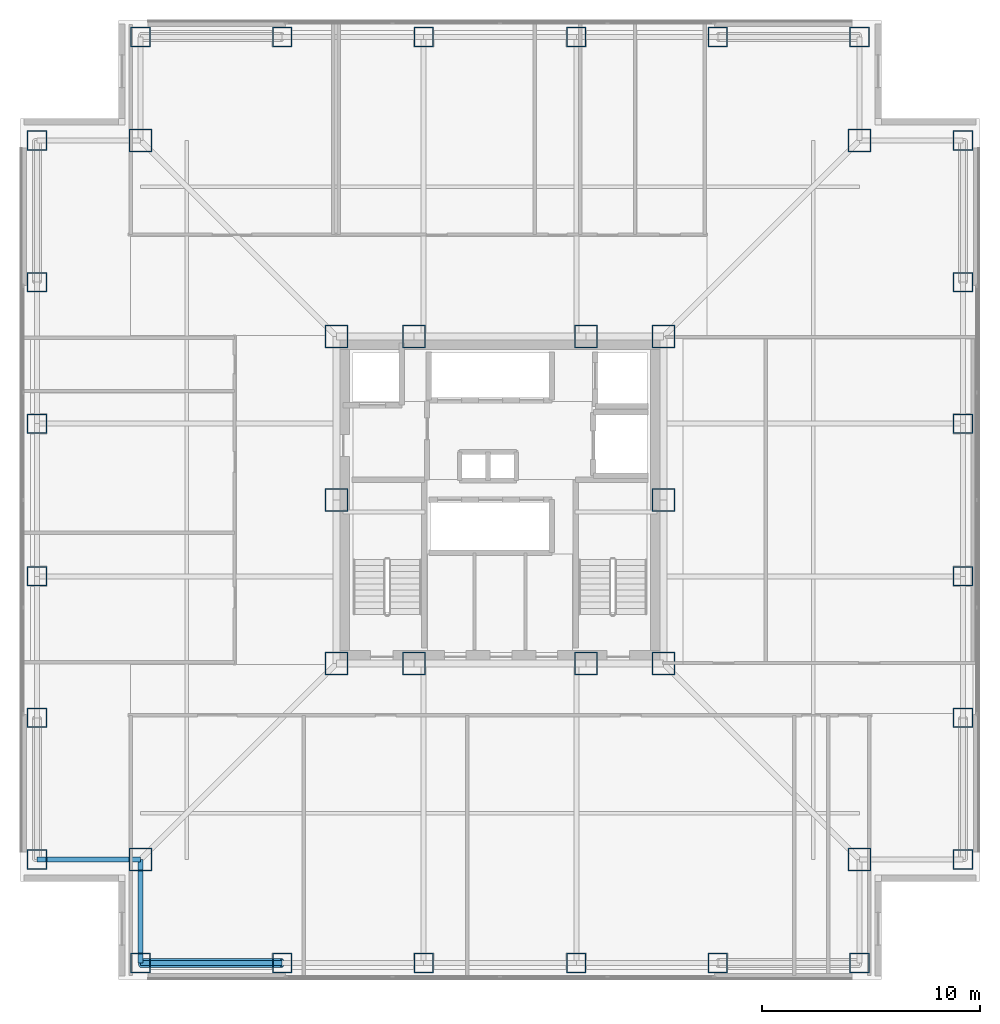
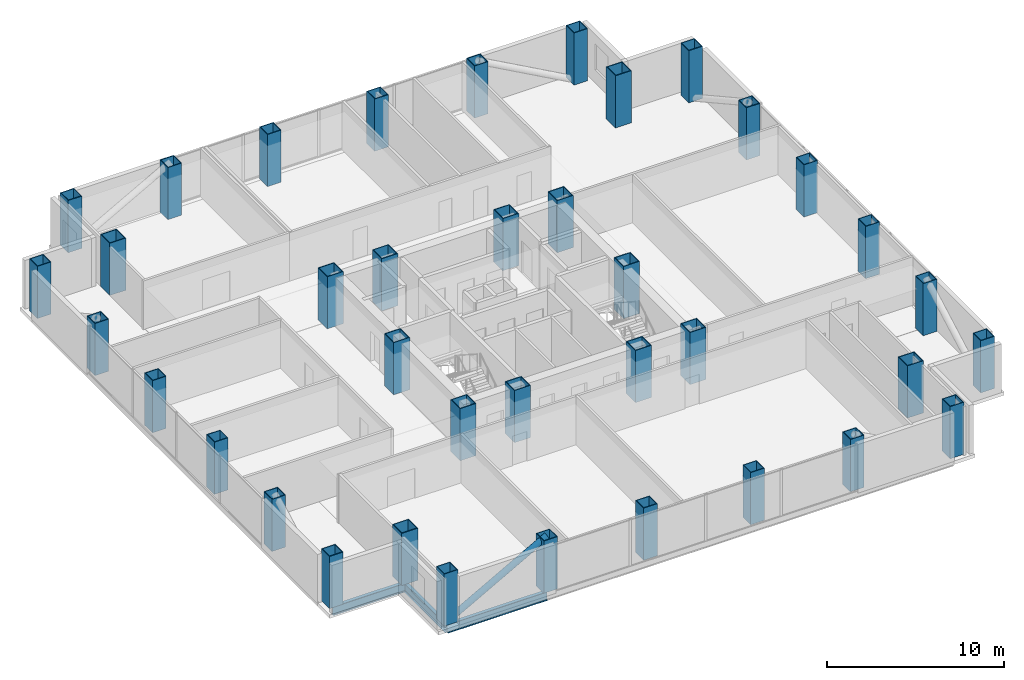
# One storey, part 1 of 16: 38 columns, 3 beams, 1 member.
"""IFC4 building model written with IfcOpenShell, lengths in metres."""

from ifc_helpers import new_model, si_unit, direction, frame, origin, origin_2d, place, context, subcontext, project, spatial, hollow_rectangle, hollow_circle, i_section, extrude, material, material_profile, profile_set, type_object, element, save


model = new_model("IFC4")

# Units and contexts
model_context = context("Model", 3, precision=1e-05, world=origin(), true_north=direction((0.0, 1.0)))
body_context = subcontext(model_context, "Body", "Model", "MODEL_VIEW")
ifc_project = project(units=[si_unit("LENGTHUNIT", "METRE"), si_unit("AREAUNIT", "SQUARE_METRE"), si_unit("VOLUMEUNIT", "CUBIC_METRE"), si_unit("PLANEANGLEUNIT", "RADIAN"), si_unit("MASSUNIT", "GRAM", prefix="KILO")], contexts=[model_context])

# Site, building, storey
site_placement = place(None, origin())
site = spatial("IfcSite", under=ifc_project, at=site_placement, CompositionType="ELEMENT")
building_placement = place(site_placement, origin())
building = spatial("IfcBuilding", under=site, at=building_placement, Name="Trevonay Congress Spire", CompositionType="ELEMENT")
storey_placement = place(building_placement, frame((0.0, 0.0, 101.199951171875)))
storey = spatial("IfcBuildingStorey", under=building, at=storey_placement, Name="L25", CompositionType="ELEMENT", Elevation=101.199951171875)

# Columns
ifc_material_1 = material(Name="Steel ASTM A572 Grade 50", Category="steel")
ifc_material_profile_1 = material_profile(ifc_material_1, hollow_rectangle(XDim=1.050048828125, YDim=1.050048828125, WallThickness=0.050048828125, at=origin_2d()), Name="BOX 1050x1050x50")
ifc_profile_set_1 = profile_set([ifc_material_profile_1], Name="Steel ASTM A572 Grade 50")
column_type_1 = type_object("IfcColumnType", Name="COL-CORE-BOX1050", PredefinedType="COLUMN", material=ifc_profile_set_1)
for number, where, z_axis, x_axis, name in (
    (1, (-7.5, -7.5, 0.0), (0.0, 0.0, 1.0), (1.0, 0.0, 0.0), "L25 column C03 at CC-SW"),
    (2, (-3.949951171875, -7.5, 0.0), (0.0, 0.0, 1.0), (1.0, 0.0, 0.0), "L25 column C03 at CC-SMW"),
    (3, (3.949951171875, -7.5, 0.0), (0.0, 0.0, 1.0), (1.0, 0.0, 0.0), "L25 column C03 at CC-SME"),
    (4, (7.5, -7.5, 0.0), (0.0, 0.0, 1.0), (1.0, 0.0, 0.0), "L25 column C03 at CC-SE"),
    (5, (7.5, 0.0, 0.0), (0.0, 0.0, 1.0), (1.0, 0.0, 0.0), "L25 column C03 at CC-E"),
    (6, (7.5, 7.5, 0.0), (0.0, 0.0, 1.0), (1.0, 0.0, 0.0), "L25 column C03 at CC-NE"),
    (7, (3.949951171875, 7.5, 0.0), (0.0, 0.0, 1.0), (1.0, 0.0, 0.0), "L25 column C03 at CC-NME"),
    (8, (-3.949951171875, 7.5, 0.0), (0.0, 0.0, 1.0), (1.0, 0.0, 0.0), "L25 column C03 at CC-NMW"),
    (9, (-7.5, 7.5, 0.0), (0.0, 0.0, 1.0), (1.0, 0.0, 0.0), "L25 column C03 at CC-NW"),
    (10, (-7.5, 0.0, 0.0), (0.0, 0.0, 1.0), (1.0, 0.0, 0.0), "L25 column C03 at CC-W"),
):
    element("IfcColumn", number, at=place(storey_placement, frame(where, z_axis=z_axis, x_axis=x_axis)), inside=storey, type_object=column_type_1, Name=name, PredefinedType="COLUMN", context=body_context, shape_type="SweptSolid", body=[
        extrude(hollow_rectangle(XDim=1.050048828125, YDim=1.050048828125, WallThickness=0.050048828125, at=origin_2d()), origin(), (0.0, 0.0, 1.0), 3.60009765625),
    ])
ifc_material_profile_2 = material_profile(ifc_material_1, hollow_rectangle(XDim=1.050048828125, YDim=1.050048828125, WallThickness=0.050048828125, at=origin_2d()), Name="BOX 1050x1050x50")
ifc_profile_set_2 = profile_set([ifc_material_profile_2], Name="Steel ASTM A572 Grade 50")
column_type_2 = type_object("IfcColumnType", Name="COL-TUBE-BOX1050", PredefinedType="COLUMN", material=ifc_profile_set_2)
for number, where, z_axis, x_axis, name in (
    (11, (-16.5, -16.5, 0.0), (0.0, 0.0, 1.0), (1.0, 0.0, 0.0), "L25 column C14 at NC-SW"),
    (12, (16.5, -16.5, 0.0), (0.0, 0.0, 1.0), (1.0, 0.0, 0.0), "L25 column C14 at NC-SE"),
    (13, (16.5, 16.5, 0.0), (0.0, 0.0, 1.0), (1.0, 0.0, 0.0), "L25 column C14 at NC-NE"),
    (14, (-16.5, 16.5, 0.0), (0.0, 0.0, 1.0), (1.0, 0.0, 0.0), "L25 column C14 at NC-NW"),
):
    element("IfcColumn", number, at=place(storey_placement, frame(where, z_axis=z_axis, x_axis=x_axis)), inside=storey, type_object=column_type_2, Name=name, PredefinedType="COLUMN", context=body_context, shape_type="SweptSolid", body=[
        extrude(hollow_rectangle(XDim=1.050048828125, YDim=1.050048828125, WallThickness=0.050048828125, at=origin_2d()), origin(), (0.0, 0.0, 1.0), 3.60009765625),
    ])
ifc_material_profile_3 = material_profile(ifc_material_1, hollow_rectangle(XDim=0.89990234375, YDim=0.89990234375, WallThickness=0.044921875, at=origin_2d()), Name="BOX 900x900x45")
ifc_profile_set_3 = profile_set([ifc_material_profile_3], Name="Steel ASTM A572 Grade 50")
column_type_3 = type_object("IfcColumnType", Name="COL-TUBE-BOX900", PredefinedType="COLUMN", material=ifc_profile_set_3)
for number, where, z_axis, x_axis, name in (
    (15, (-16.5, -21.25, 0.0), (0.0, 0.0, 1.0), (1.0, 0.0, 0.0), "L25 column C15 at TS-1"),
    (16, (-16.5, 21.25, 0.0), (0.0, 0.0, 1.0), (1.0, 0.0, 0.0), "L25 column C15 at TN-1"),
    (17, (-21.25, -16.5, 0.0), (0.0, 0.0, 1.0), (1.0, 0.0, 0.0), "L25 column C15 at TW-1"),
    (18, (21.25, -16.5, 0.0), (0.0, 0.0, 1.0), (1.0, 0.0, 0.0), "L25 column C15 at TE-1"),
    (19, (-10.0, -21.25, 0.0), (0.0, 0.0, 1.0), (1.0, 0.0, 0.0), "L25 column C15 at TS-2"),
    (20, (-10.0, 21.25, 0.0), (0.0, 0.0, 1.0), (1.0, 0.0, 0.0), "L25 column C15 at TN-2"),
    (21, (-21.25, -10.0, 0.0), (0.0, 0.0, 1.0), (1.0, 0.0, 0.0), "L25 column C15 at TW-2"),
    (22, (21.25, -10.0, 0.0), (0.0, 0.0, 1.0), (1.0, 0.0, 0.0), "L25 column C15 at TE-2"),
    (23, (-3.5, -21.25, 0.0), (0.0, 0.0, 1.0), (1.0, 0.0, 0.0), "L25 column C15 at TS-3"),
    (24, (-3.5, 21.25, 0.0), (0.0, 0.0, 1.0), (1.0, 0.0, 0.0), "L25 column C15 at TN-3"),
    (25, (-21.25, -3.5, 0.0), (0.0, 0.0, 1.0), (1.0, 0.0, 0.0), "L25 column C15 at TW-3"),
    (26, (21.25, -3.5, 0.0), (0.0, 0.0, 1.0), (1.0, 0.0, 0.0), "L25 column C15 at TE-3"),
    (27, (3.5, -21.25, 0.0), (0.0, 0.0, 1.0), (1.0, 0.0, 0.0), "L25 column C15 at TS-4"),
    (28, (3.5, 21.25, 0.0), (0.0, 0.0, 1.0), (1.0, 0.0, 0.0), "L25 column C15 at TN-4"),
    (29, (-21.25, 3.5, 0.0), (0.0, 0.0, 1.0), (1.0, 0.0, 0.0), "L25 column C15 at TW-4"),
    (30, (21.25, 3.5, 0.0), (0.0, 0.0, 1.0), (1.0, 0.0, 0.0), "L25 column C15 at TE-4"),
    (31, (10.0, -21.25, 0.0), (0.0, 0.0, 1.0), (1.0, 0.0, 0.0), "L25 column C15 at TS-5"),
    (32, (10.0, 21.25, 0.0), (0.0, 0.0, 1.0), (1.0, 0.0, 0.0), "L25 column C15 at TN-5"),
    (33, (-21.25, 10.0, 0.0), (0.0, 0.0, 1.0), (1.0, 0.0, 0.0), "L25 column C15 at TW-5"),
    (34, (21.25, 10.0, 0.0), (0.0, 0.0, 1.0), (1.0, 0.0, 0.0), "L25 column C15 at TE-5"),
    (35, (16.5, -21.25, 0.0), (0.0, 0.0, 1.0), (1.0, 0.0, 0.0), "L25 column C15 at TS-6"),
    (36, (16.5, 21.25, 0.0), (0.0, 0.0, 1.0), (1.0, 0.0, 0.0), "L25 column C15 at TN-6"),
    (37, (-21.25, 16.5, 0.0), (0.0, 0.0, 1.0), (1.0, 0.0, 0.0), "L25 column C15 at TW-6"),
    (38, (21.25, 16.5, 0.0), (0.0, 0.0, 1.0), (1.0, 0.0, 0.0), "L25 column C15 at TE-6"),
):
    element("IfcColumn", number, at=place(storey_placement, frame(where, z_axis=z_axis, x_axis=x_axis)), inside=storey, type_object=column_type_3, Name=name, PredefinedType="COLUMN", context=body_context, shape_type="SweptSolid", body=[
        extrude(hollow_rectangle(XDim=0.89990234375, YDim=0.89990234375, WallThickness=0.044921875, at=origin_2d()), origin(), (0.0, 0.0, 1.0), 3.60009765625),
    ])

# Beams
ifc_material_profile_4 = material_profile(ifc_material_1, i_section(OverallWidth=0.22802734375, OverallDepth=0.60791015625, WebThickness=0.01123046875, FlangeThickness=0.017333984375, FilletRadius=0.01611328125, at=origin_2d()), Name="W610x113")
ifc_profile_set_4 = profile_set([ifc_material_profile_4], Name="Steel ASTM A572 Grade 50")
beam_type = type_object("IfcBeamType", Name="BM-RING-W610X113", PredefinedType="BEAM", material=ifc_profile_set_4)
beam_placement = place(storey_placement, frame((-16.5, -21.25, -0.5439453125), z_axis=(1.0, 0.0, 0.0), x_axis=(0.0, 1.0, 0.0)))
element("IfcBeam", 39, at=beam_placement, inside=storey, type_object=beam_type, Name="L25 structural beam BM-L25-PS1", PredefinedType="BEAM", context=body_context, shape_type="SweptSolid", body=[
    extrude(i_section(OverallWidth=0.22802734375, OverallDepth=0.60791015625, WebThickness=0.01123046875, FlangeThickness=0.017333984375, FilletRadius=0.01611328125, at=origin_2d()), origin(), (0.0, 0.0, 1.0), 6.5),
])
for number, where, z_axis, x_axis, name in (
    (40, (-16.5, -21.25, -0.5439453125), (0.0, 1.0, 0.0), (-1.0, 0.0, 0.0), "L25 structural beam BM-L25-N1SW"),
    (41, (-21.25, -16.5, -0.5439453125), (1.0, 0.0, 0.0), (0.0, 1.0, 0.0), "L25 structural beam BM-L25-N2SW"),
):
    element("IfcBeam", number, at=place(storey_placement, frame(where, z_axis=z_axis, x_axis=x_axis)), inside=storey, type_object=beam_type, Name=name, PredefinedType="BEAM", context=body_context, shape_type="SweptSolid", body=[
        extrude(i_section(OverallWidth=0.22802734375, OverallDepth=0.60791015625, WebThickness=0.01123046875, FlangeThickness=0.017333984375, FilletRadius=0.01611328125, at=origin_2d()), origin(), (0.0, 0.0, 1.0), 4.75),
    ])

# Member
ifc_material_2 = material(Name="Steel ASTM A500 Grade C", Category="steel")
ifc_material_profile_5 = material_profile(ifc_material_2, hollow_circle(Radius=0.203125, WallThickness=0.02001953125, at=origin_2d()), Name="CHS 406.4x20")
ifc_profile_set_5 = profile_set([ifc_material_profile_5], Name="Steel ASTM A500 Grade C")
member_type = type_object("IfcMemberType", Name="MBR-TUBE-CHS406", PredefinedType="BRACE", material=ifc_profile_set_5)
member_placement = place(storey_placement, frame((-16.5, -21.25, -0.050048828125), z_axis=(0.874785785626, 0.0, 0.484509885623), x_axis=(0.0, 1.0, 0.0)))
element("IfcMember", 42, at=member_placement, inside=storey, type_object=member_type, Name="L25 perimeter braced-tube diagonal S0", PredefinedType="BRACE", context=body_context, shape_type="SweptSolid", body=[
    extrude(hollow_circle(Radius=0.203125, WallThickness=0.02001953125, at=origin_2d()), origin(), (0.0, 0.0, 1.0), 7.430419921875),
])

save(model, "model.ifc")
